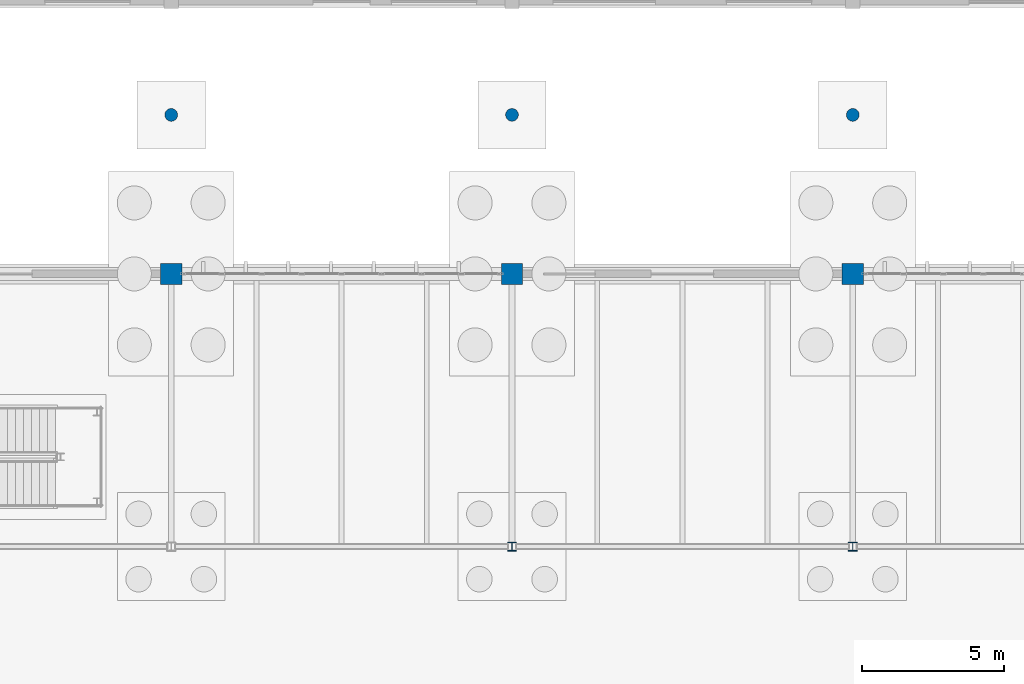
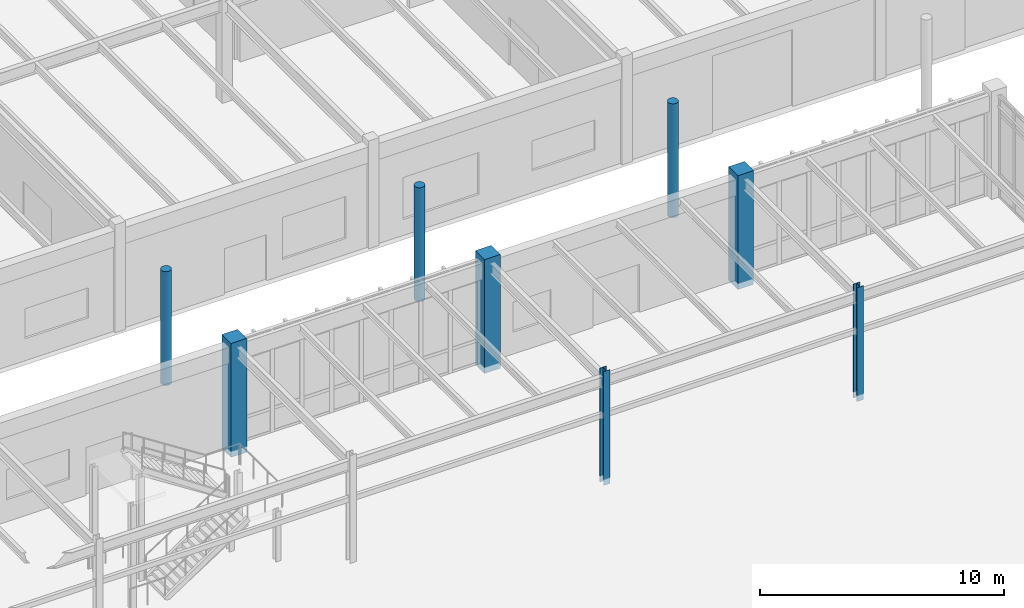
# One storey, part 15 of 188: 8 columns.
"""IFC4 building model written with IfcOpenShell, lengths in metres."""

from ifc_helpers import new_model, si_unit, direction, frame, origin, origin_2d, place, context, subcontext, project, spatial, rectangle, circle, i_section, extrude, material, material_profile, profile_set, type_object, element, save


model = new_model("IFC4")

# Units and contexts
model_context = context("Model", 3, precision=1e-05, world=origin(), true_north=direction((0.0, 1.0)))
body_context = subcontext(model_context, "Body", "Model", "MODEL_VIEW")
ifc_project = project(units=[si_unit("LENGTHUNIT", "METRE"), si_unit("AREAUNIT", "SQUARE_METRE"), si_unit("VOLUMEUNIT", "CUBIC_METRE"), si_unit("PLANEANGLEUNIT", "RADIAN"), si_unit("MASSUNIT", "GRAM", prefix="KILO")], contexts=[model_context])

# Site, building, storey
site_placement = place(None, origin())
site = spatial("IfcSite", under=ifc_project, at=site_placement, CompositionType="ELEMENT")
building_placement = place(site_placement, origin())
building = spatial("IfcBuilding", under=site, at=building_placement, Name="Pandanus Reach Market Hall", CompositionType="ELEMENT")
storey_placement = place(building_placement, origin())
storey = spatial("IfcBuildingStorey", under=building, at=storey_placement, Name="L00", CompositionType="ELEMENT", Elevation=0.0)

# Columns
ifc_material_1 = material(Name="Concrete N50 (50 MPa)", Category="concrete")
ifc_material_profile_1 = material_profile(ifc_material_1, rectangle(XDim=0.75, YDim=0.75, at=origin_2d()), Name="RC750x750", Category="LoadBearing")
ifc_profile_set_1 = profile_set([ifc_material_profile_1], Name="Concrete N50 (50 MPa)")
column_type_1 = type_object("IfcColumnType", Name="CL-RC750-E", PredefinedType="COLUMN", material=ifc_profile_set_1)
for number, where, z_axis, x_axis, name in (
    (1, (96.0, 86.39990234375, -0.300048828125), (0.0, 0.0, 1.0), (1.0, 0.0, 0.0), "Column CL-RC750-E V1A-96-864 L00"),
    (2, (108.0, 86.39990234375, -0.300048828125), (0.0, 0.0, 1.0), (1.0, 0.0, 0.0), "Column CL-RC750-E V1A-108-864 L00"),
    (3, (120.0, 86.39990234375, -0.300048828125), (0.0, 0.0, 1.0), (1.0, 0.0, 0.0), "Column CL-RC750-E V1A-120-864 L00"),
):
    element("IfcColumn", number, at=place(storey_placement, frame(where, z_axis=z_axis, x_axis=x_axis)), inside=storey, type_object=column_type_1, Name=name, PredefinedType="COLUMN", context=body_context, shape_type="SweptSolid", body=[
        extrude(rectangle(XDim=0.75, YDim=0.75, at=origin_2d()), origin(), (0.0, 0.0, 1.0), 5.699951171875),
    ])
ifc_material_2 = material(Name="Steel Grade 350 (350 MPa)", Category="steel")
ifc_material_profile_2 = material_profile(ifc_material_2, i_section(OverallWidth=0.306884765625, OverallDepth=0.31494140625, WebThickness=0.011962890625, FlangeThickness=0.018798828125, at=origin_2d()), Name="310UC118", Category="LoadBearing")
ifc_profile_set_2 = profile_set([ifc_material_profile_2], Name="Steel Grade 350 (350 MPa)")
column_type_2 = type_object("IfcColumnType", Name="CL-UC310-I", PredefinedType="COLUMN", material=ifc_profile_set_2)
for number, where, z_axis, x_axis, name in (
    (4, (108.0, 76.800048828125, -0.300048828125), (0.0, 0.0, 1.0), (1.0, 0.0, 0.0), "Column CL-UC310-I V1M-108-768 L00"),
    (5, (120.0, 76.800048828125, -0.300048828125), (0.0, 0.0, 1.0), (1.0, 0.0, 0.0), "Column CL-UC310-I V1M-120-768 L00"),
):
    element("IfcColumn", number, at=place(storey_placement, frame(where, z_axis=z_axis, x_axis=x_axis)), inside=storey, type_object=column_type_2, Name=name, PredefinedType="COLUMN", context=body_context, shape_type="SweptSolid", body=[
        extrude(i_section(OverallWidth=0.306884765625, OverallDepth=0.31494140625, WebThickness=0.011962890625, FlangeThickness=0.018798828125, at=origin_2d()), origin(), (0.0, 0.0, 1.0), 5.699951171875),
    ])
ifc_material_3 = material(Name="Precast concrete S50 (50 MPa)", Category="concrete")
ifc_material_profile_3 = material_profile(ifc_material_3, circle(Radius=0.22509765625, at=origin_2d()), Name="RC450D", Category="LoadBearing")
ifc_profile_set_3 = profile_set([ifc_material_profile_3], Name="Precast concrete S50 (50 MPa)")
column_type_3 = type_object("IfcColumnType", Name="PL-RC450-E", PredefinedType="PILASTER", material=ifc_profile_set_3)
for number, where, z_axis, x_axis, name in (
    (6, (96.0, 92.0, -0.300048828125), (0.0, 0.0, 1.0), (1.0, 0.0, 0.0), "Arcade pilaster P13"),
    (7, (108.0, 92.0, -0.300048828125), (0.0, 0.0, 1.0), (1.0, 0.0, 0.0), "Arcade pilaster P14"),
    (8, (120.0, 92.0, -0.300048828125), (0.0, 0.0, 1.0), (1.0, 0.0, 0.0), "Arcade pilaster P15"),
):
    element("IfcColumn", number, at=place(storey_placement, frame(where, z_axis=z_axis, x_axis=x_axis)), inside=storey, type_object=column_type_3, Name=name, PredefinedType="PILASTER", context=body_context, shape_type="SweptSolid", body=[
        extrude(circle(Radius=0.22509765625, at=origin_2d()), origin(), (0.0, 0.0, 1.0), 5.699951171875),
    ])

save(model, "model.ifc")
